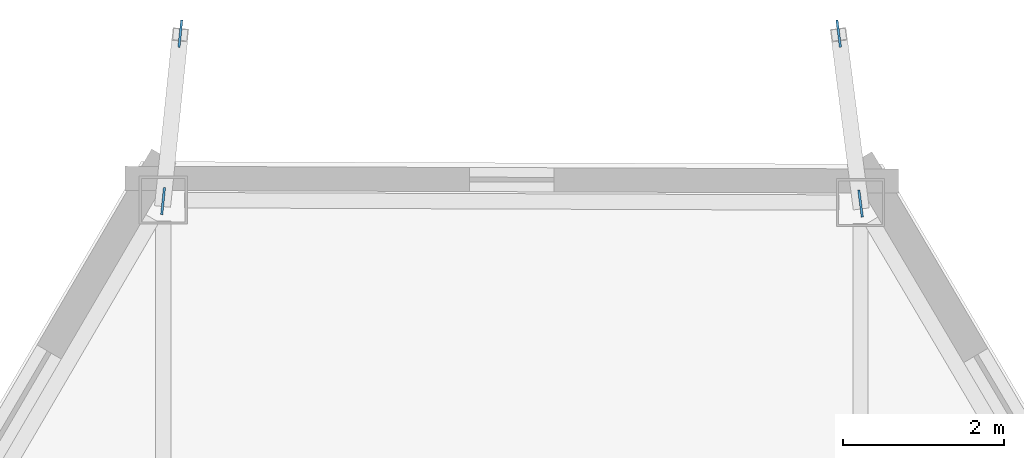
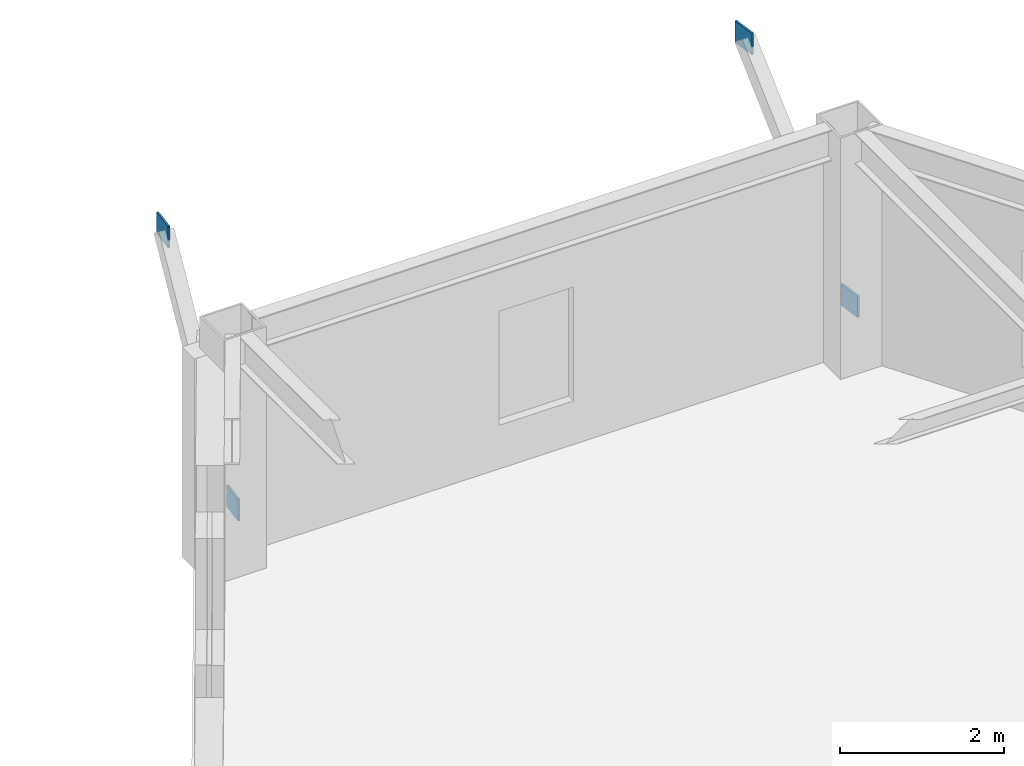
# One storey, part 5 of 10: 4 plates.
"""IFC4 building model written with IfcOpenShell, lengths in metres."""

from ifc_helpers import new_model, si_unit, direction, frame, origin, origin_2d, place, context, subcontext, project, spatial, rectangle, extrude, material, layer, layer_set, type_object, element, save


model = new_model("IFC4")

# Units and contexts
model_context = context("Model", 3, precision=1e-05, world=origin(), true_north=direction((0.0, 1.0)))
body_context = subcontext(model_context, "Body", "Model", "MODEL_VIEW")
ifc_project = project(units=[si_unit("LENGTHUNIT", "METRE"), si_unit("AREAUNIT", "SQUARE_METRE"), si_unit("VOLUMEUNIT", "CUBIC_METRE"), si_unit("PLANEANGLEUNIT", "RADIAN"), si_unit("MASSUNIT", "GRAM", prefix="KILO")], contexts=[model_context])

# Site, building, storey
site_placement = place(None, origin())
site = spatial("IfcSite", under=ifc_project, at=site_placement, CompositionType="ELEMENT")
building_placement = place(site_placement, origin())
building = spatial("IfcBuilding", under=site, at=building_placement, Name="Kavelnor Concourse Tower", CompositionType="ELEMENT")
storey_placement = place(building_placement, frame((0.0, 0.0, 199.64990234375)))
storey = spatial("IfcBuildingStorey", under=building, at=storey_placement, Name="L50", CompositionType="ELEMENT", Elevation=199.64990234375)

# Plates
ifc_material = material(Name="Steel Grade 350", Category="steel")
ifc_layer = layer(ifc_material, 0.028076171875, Name="Steel Grade 350")
ifc_layer_set = layer_set([ifc_layer], Name="Steel Grade 350")
plate_type = type_object("IfcPlateType", Name="PL-GUSSET-FOLD", PredefinedType="USERDEFINED", material=ifc_layer_set)
for number, where, z_axis, x_axis, name in (
    (1, (42.36962890625, 43.419189453125, 0.740234375), (0.0, 0.0, 1.0), (-0.127757050534, 0.991805493047, 0.0), "L50 Terrace Strut Gusset GP4 C0-A End Gusset A"),
    (2, (42.097412109375, 45.53369140625, 3.47509765625), (0.0, 0.0, 1.0), (-0.127757050534, 0.991805493047, 0.0), "L50 Terrace Strut Gusset GP4 C0-A End Gusset B"),
    (3, (33.687744140625, 43.4501953125, 0.740234375), (0.0, 0.0, 1.0), (0.102445313747, 0.99473863788, 0.0), "L50 Terrace Strut Gusset GP4 C0-B End Gusset A"),
    (4, (33.90234375, 45.53369140625, 3.47509765625), (0.0, 0.0, 1.0), (0.102445313747, 0.99473863788, 0.0), "L50 Terrace Strut Gusset GP4 C0-B End Gusset B"),
):
    element("IfcPlate", number, at=place(storey_placement, frame(where, z_axis=z_axis, x_axis=x_axis)), inside=storey, type_object=plate_type, Name=name, ObjectType="GUSSET_PLATE", PredefinedType="USERDEFINED", context=body_context, shape_type="SweptSolid", body=[
        extrude(rectangle(XDim=0.340087890625, YDim=0.028076171875, at=origin_2d()), origin(), (0.0, 0.0, 1.0), 0.320068359375),
    ])

save(model, "model.ifc")
